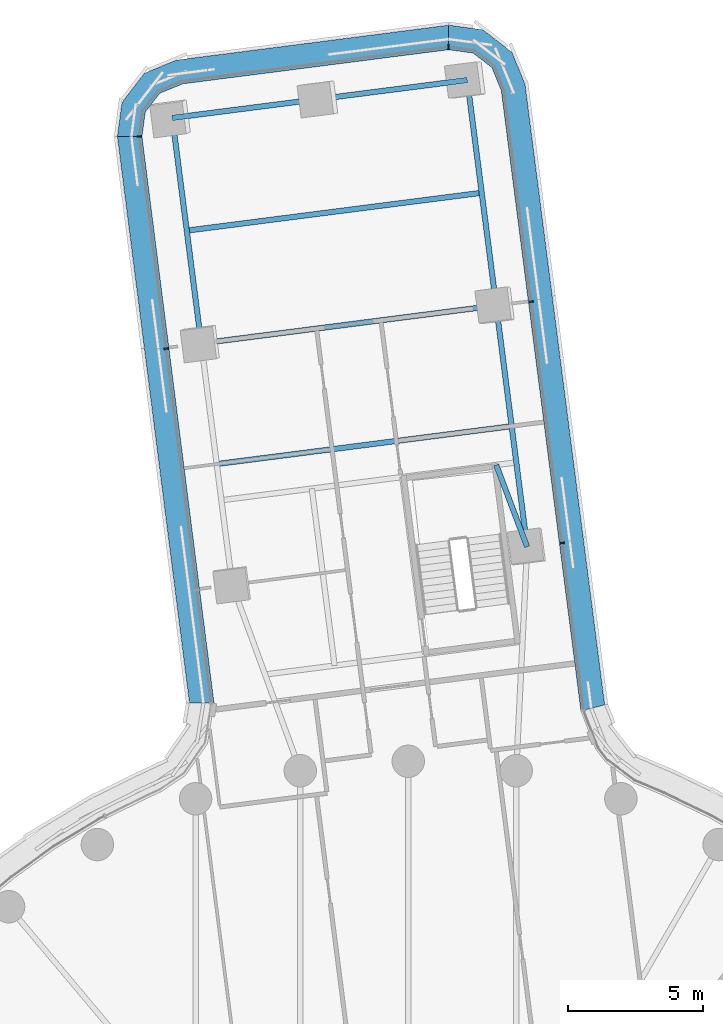
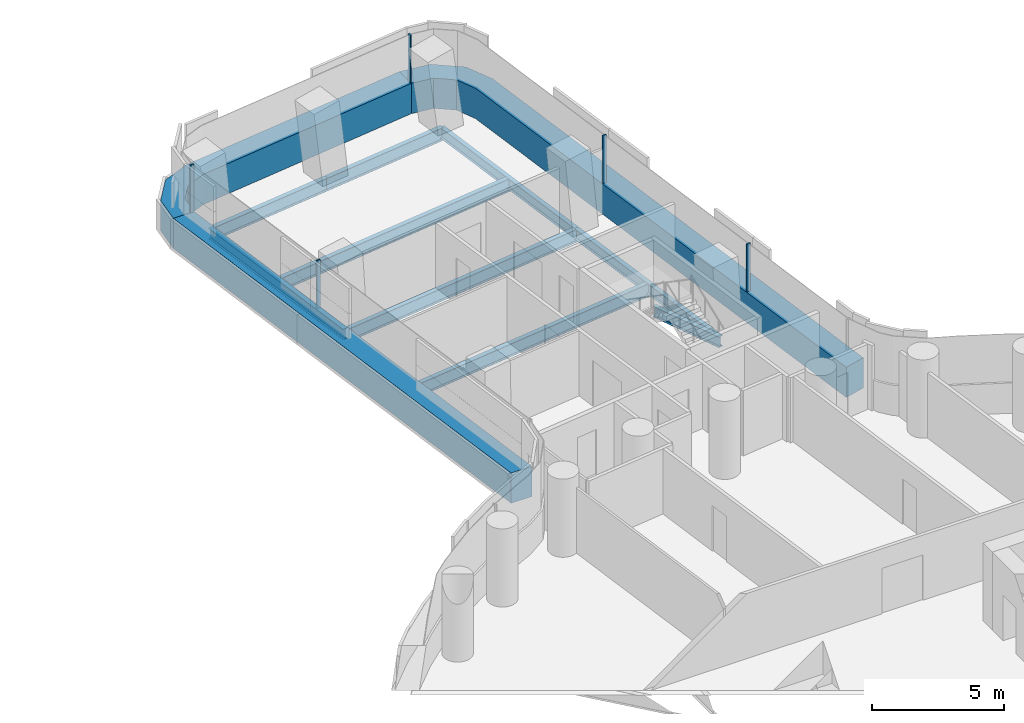
# One storey, part 15 of 31: 9 beams, 8 members, 3 elements without a shape of their own.
"""IFC4 building model written with IfcOpenShell, lengths in metres."""

from ifc_helpers import new_model, si_unit, direction, frame, origin, origin_2d, place, context, subcontext, project, spatial, polyline, rectangle, i_section, outline, extrude, material, layer, layer_set, material_profile, profile_set, type_object, element, aggregate, save


model = new_model("IFC4")

# Units and contexts
model_context = context("Model", 3, precision=1e-05, world=origin(), true_north=direction((0.0, 1.0)))
body_context = subcontext(model_context, "Body", "Model", "MODEL_VIEW")
ifc_project = project(units=[si_unit("LENGTHUNIT", "METRE"), si_unit("AREAUNIT", "SQUARE_METRE"), si_unit("VOLUMEUNIT", "CUBIC_METRE"), si_unit("PLANEANGLEUNIT", "RADIAN"), si_unit("MASSUNIT", "GRAM", prefix="KILO")], contexts=[model_context])

# Site, building, storey
site_placement = place(None, origin())
site = spatial("IfcSite", under=ifc_project, at=site_placement, CompositionType="ELEMENT")
building_placement = place(site_placement, origin())
building = spatial("IfcBuilding", under=site, at=building_placement, Name="Tamarind Cross Interchange Tower", CompositionType="ELEMENT")
storey_placement = place(building_placement, frame((0.0, 0.0, 60.25)))
storey = spatial("IfcBuildingStorey", under=building, at=storey_placement, Name="L13", CompositionType="ELEMENT", Elevation=60.25)

# Beams
ifc_material_1 = material(Name="Steel Q355B", Category="steel")
ifc_material_profile_1 = material_profile(ifc_material_1, i_section(OverallWidth=0.198974609375, OverallDepth=0.49609375, WebThickness=0.009033203125, FlangeThickness=0.013916015625, FilletRadius=0.012939453125, at=origin_2d()), Name="HN 496x199x9x14")
ifc_profile_set_1 = profile_set([ifc_material_profile_1], Name="Steel Q355B")
beam_type_1 = type_object("IfcBeamType", Name="Composite beam HN 496x199x9x14 Q355B", PredefinedType="BEAM", material=ifc_profile_set_1)
beam_1_placement = place(storey_placement, frame((2.182373046875, 48.199951171875, -0.387939453125), z_axis=(0.127310795413, -0.991862874278, 0.0), x_axis=(0.991862874278, 0.127310795413, 0.0)))
element("IfcBeam", 1, at=beam_1_placement, inside=storey, type_object=beam_type_1, Name="Beam N-edgeem5", PredefinedType="BEAM", context=body_context, shape_type="SweptSolid", body=[
    extrude(i_section(OverallWidth=0.198974609375, OverallDepth=0.49609375, WebThickness=0.009033203125, FlangeThickness=0.013916015625, FilletRadius=0.012939453125, at=origin_2d()), origin(), (0.0, 0.0, 1.0), 8.408935546875),
])
beam_2_placement = place(storey_placement, frame((3.2529296875, 39.859375, -0.387939453125), z_axis=(0.127305967001, -0.991863494018, 0.0), x_axis=(0.991863494018, 0.127305967001, 0.0)))
element("IfcBeam", 2, at=beam_2_placement, inside=storey, type_object=beam_type_1, Name="Beam N-edgeem6", PredefinedType="BEAM", context=body_context, shape_type="SweptSolid", body=[
    extrude(i_section(OverallWidth=0.198974609375, OverallDepth=0.49609375, WebThickness=0.009033203125, FlangeThickness=0.013916015625, FilletRadius=0.012939453125, at=origin_2d()), origin(), (0.0, 0.0, 1.0), 9.0),
])
beam_3_placement = place(storey_placement, frame((-8.72802734375, 46.7998046875, -0.387939453125), z_axis=(0.127307129349, -0.99186334483, 0.0), x_axis=(0.99186334483, 0.127307129349, 0.0)))
element("IfcBeam", 3, at=beam_3_placement, inside=storey, type_object=beam_type_1, Name="Beam N-edgeep2", PredefinedType="BEAM", context=body_context, shape_type="SweptSolid", body=[
    extrude(i_section(OverallWidth=0.198974609375, OverallDepth=0.49609375, WebThickness=0.009033203125, FlangeThickness=0.013916015625, FilletRadius=0.012939453125, at=origin_2d()), origin(), (0.0, 0.0, 1.0), 8.4091796875),
])
beam_4_placement = place(storey_placement, frame((4.398681640625, 30.9326171875, -0.387939453125), z_axis=(-0.35361756527, 0.93539008843, 0.0), x_axis=(-0.93539008843, -0.35361756527, 0.0)))
element("IfcBeam", 4, at=beam_4_placement, inside=storey, type_object=beam_type_1, Name="Beam N-tr0", PredefinedType="BEAM", context=body_context, shape_type="SweptSolid", body=[
    extrude(i_section(OverallWidth=0.198974609375, OverallDepth=0.49609375, WebThickness=0.009033203125, FlangeThickness=0.013916015625, FilletRadius=0.012939453125, at=origin_2d()), origin(), (0.0, 0.0, 1.0), 3.238037109375),
])
ifc_material_profile_2 = material_profile(ifc_material_1, i_section(OverallWidth=0.199951171875, OverallDepth=0.60009765625, WebThickness=0.010986328125, FlangeThickness=0.01708984375, FilletRadius=0.012939453125, at=origin_2d()), Name="HN 600x200x11x17")
ifc_profile_set_2 = profile_set([ifc_material_profile_2], Name="Steel Q355B")
beam_type_2 = type_object("IfcBeamType", Name="Composite beam HN 600x200x11x17 Q355B", PredefinedType="BEAM", material=ifc_profile_set_2)
beam_5_placement = place(storey_placement, frame((2.182373046875, 48.199951171875, -0.43994140625), z_axis=(-0.991868307519, -0.127268458542, 0.0), x_axis=(0.127268458542, -0.991868307519, 0.0)))
element("IfcBeam", 5, at=beam_5_placement, inside=storey, type_object=beam_type_2, Name="Beam N-tip0", PredefinedType="BEAM", context=body_context, shape_type="SweptSolid", body=[
    extrude(i_section(OverallWidth=0.199951171875, OverallDepth=0.60009765625, WebThickness=0.010986328125, FlangeThickness=0.01708984375, FilletRadius=0.012939453125, at=origin_2d()), origin(), (0.0, 0.0, 1.0), 5.499755859375),
])
beam_6_placement = place(storey_placement, frame((-3.272705078125, 47.5, -0.43994140625), z_axis=(-0.991863422431, -0.12730652475, 0.0), x_axis=(0.12730652475, -0.991863422431, 0.0)))
element("IfcBeam", 6, at=beam_6_placement, inside=storey, type_object=beam_type_2, Name="Beam N-tip1", PredefinedType="BEAM", context=body_context, shape_type="SweptSolid", body=[
    extrude(i_section(OverallWidth=0.199951171875, OverallDepth=0.60009765625, WebThickness=0.010986328125, FlangeThickness=0.01708984375, FilletRadius=0.012939453125, at=origin_2d()), origin(), (0.0, 0.0, 1.0), 5.5),
])
beam_7_placement = place(storey_placement, frame((3.2529296875, 39.859375, -0.43994140625), z_axis=(-0.991863062717, -0.127309327301, 0.0), x_axis=(0.127309327301, -0.991863062717, 0.0)))
element("IfcBeam", 7, at=beam_7_placement, inside=storey, type_object=beam_type_2, Name="Beam N-x393", PredefinedType="BEAM", context=body_context, shape_type="SweptSolid", body=[
    extrude(i_section(OverallWidth=0.199951171875, OverallDepth=0.60009765625, WebThickness=0.010986328125, FlangeThickness=0.01708984375, FilletRadius=0.012939453125, at=origin_2d()), origin(), (0.0, 0.0, 1.0), 11.0),
])
for number, where, z_axis, x_axis, name in (
    (8, (3.825927734375, 35.39599609375, -0.43994140625), (-0.991863422431, -0.12730652475, 0.0), (0.12730652475, -0.991863422431, 0.0), "Beam N-x348"),
    (9, (2.7177734375, 44.02978515625, -0.43994140625), (-0.991863422431, -0.12730652475, 0.0), (0.12730652475, -0.991863422431, 0.0), "Beam N-x435"),
):
    element("IfcBeam", number, at=place(storey_placement, frame(where, z_axis=z_axis, x_axis=x_axis)), inside=storey, type_object=beam_type_2, Name=name, PredefinedType="BEAM", context=body_context, shape_type="SweptSolid", body=[
        extrude(i_section(OverallWidth=0.199951171875, OverallDepth=0.60009765625, WebThickness=0.010986328125, FlangeThickness=0.01708984375, FilletRadius=0.012939453125, at=origin_2d()), origin(), (0.0, 0.0, 1.0), 11.000244140625),
    ])

# Curtain wall, member
ifc_material_2 = material(Name="Aluminium 6063-T6", Category="aluminium")
ifc_layer = layer(ifc_material_2, 0.159912109375)
ifc_layer_set = layer_set([ifc_layer], Name="Aluminium 6063-T6")
curtain_wall_type = type_object("IfcCurtainWallType", Name="Office curtain wall, 9.0 m bays", PredefinedType="NOTDEFINED", material=ifc_layer_set)
curtain_wall_1_placement = place(storey_placement, origin())
curtain_wall_1 = element("IfcCurtainWall", 10, at=curtain_wall_1_placement, inside=storey, type_object=curtain_wall_type, Name="CWS-L13-11", PredefinedType="NOTDEFINED")
ifc_material_3 = material(Name="Aluminium and insulated spandrel panel", Category="aluminium")
member_type_1 = type_object("IfcMemberType", Name="Floor-edge blade transom", PredefinedType="USERDEFINED", material=ifc_material_3)
member_1_placement = place(storey_placement, origin())
member_1 = element("IfcMember", 11, at=member_1_placement, type_object=member_type_1, Name="CWT-L13-11", ObjectType="TRANSOM", PredefinedType="USERDEFINED", context=body_context, shape_type="SweptSolid", body=[
    extrude(outline(polyline([(6.387451171875, 24.86279296875), (3.44140625, 47.817626953125), (3.09375, 48.66455078125), (2.40185546875, 49.19921875), (1.49462890625, 49.321533203125), (1.49755859375, 50.229248046875), (2.76123046875, 50.058837890625), (3.8349609375, 49.229248046875), (4.319091796875, 48.0498046875), (7.26611328125, 25.08642578125), (6.387451171875, 24.86279296875)])), origin(), (0.0, 0.0, 1.0), 1.39990234375),
])

curtain_wall_2_placement = place(storey_placement, origin())
curtain_wall_2 = element("IfcCurtainWall", 12, at=curtain_wall_2_placement, inside=storey, type_object=curtain_wall_type, Name="CWS-L13-12", PredefinedType="NOTDEFINED")
member_2_placement = place(storey_placement, origin())
member_2 = element("IfcMember", 13, at=member_2_placement, type_object=member_type_1, Name="CWT-L13-12", ObjectType="TRANSOM", PredefinedType="USERDEFINED", context=body_context, shape_type="SweptSolid", body=[
    extrude(outline(polyline([(1.49462890625, 49.321533203125), (-8.345703125, 48.05859375), (-9.192626953125, 47.711181640625), (-9.72705078125, 47.01904296875), (-9.849609375, 46.11181640625), (-10.75732421875, 46.115234375), (-10.5869140625, 47.37841796875), (-9.75732421875, 48.4521484375), (-8.577880859375, 48.936279296875), (1.49755859375, 50.229248046875), (1.49462890625, 49.321533203125)])), origin(), (0.0, 0.0, 1.0), 1.39990234375),
])

curtain_wall_3_placement = place(storey_placement, origin())
curtain_wall_3 = element("IfcCurtainWall", 14, at=curtain_wall_3_placement, inside=storey, type_object=curtain_wall_type, Name="CWS-L13-13", PredefinedType="NOTDEFINED")
member_3_placement = place(storey_placement, origin())
member_3 = element("IfcMember", 15, at=member_3_placement, type_object=member_type_1, Name="CWT-L13-13", ObjectType="TRANSOM", PredefinedType="USERDEFINED", context=body_context, shape_type="SweptSolid", body=[
    extrude(outline(polyline([(-9.849609375, 46.11181640625), (-7.18359375, 25.14892578125), (-8.0927734375, 25.16455078125), (-10.75732421875, 46.115234375), (-9.849609375, 46.11181640625)])), origin(), (0.0, 0.0, 1.0), 1.39990234375),
])

# Member
ifc_material_profile_3 = material_profile(ifc_material_2, rectangle(XDim=0.06005859375, YDim=0.159912109375, at=origin_2d()), Name="Mullion CW1")
ifc_profile_set_3 = profile_set([ifc_material_profile_3], Name="Aluminium 6063-T6")
member_type_2 = type_object("IfcMemberType", Name="Mullion CW1", PredefinedType="MULLION", material=ifc_profile_set_3)
member_4_placement = place(storey_placement, frame((5.691162109375, 31.0732421875, 1.39990234375), z_axis=(0.0, 0.0, 1.0), x_axis=(-0.127300045824, 0.991864253985, 0.0)))
member_4 = element("IfcMember", 16, at=member_4_placement, type_object=member_type_2, Name="CWM-L13-11-01", PredefinedType="MULLION", context=body_context, shape_type="SweptSolid", body=[
    extrude(rectangle(XDim=0.06005859375, YDim=0.159912109375, at=origin_2d()), origin(), (0.0, 0.0, 1.0), 2.210205078125),
])

member_5_placement = place(storey_placement, frame((4.545654296875, 39.99951171875, 1.39990234375), z_axis=(0.0, 0.0, 1.0), x_axis=(-0.127300045824, 0.991864253985, 0.0)))
member_5 = element("IfcMember", 17, at=member_5_placement, type_object=member_type_2, Name="CWM-L13-11-02", PredefinedType="MULLION", context=body_context, shape_type="SweptSolid", body=[
    extrude(rectangle(XDim=0.06005859375, YDim=0.159912109375, at=origin_2d()), origin(), (0.0, 0.0, 1.0), 2.210205078125),
])

aggregate(curtain_wall_1, [member_4, member_5, member_1])

member_6_placement = place(storey_placement, frame((1.494873046875, 49.42236328125, 1.39990234375), z_axis=(0.0, 0.0, 1.0), x_axis=(-0.999994708045, 0.003253287987, 0.0)))
member_6 = element("IfcMember", 18, at=member_6_placement, type_object=member_type_2, Name="CWM-L13-12-00", PredefinedType="MULLION", context=body_context, shape_type="SweptSolid", body=[
    extrude(rectangle(XDim=0.06005859375, YDim=0.159912109375, at=origin_2d()), origin(), (0.0, 0.0, 1.0), 2.210205078125),
])

aggregate(curtain_wall_2, [member_6, member_2])

member_7_placement = place(storey_placement, frame((-9.950439453125, 46.112060546875, 1.39990234375), z_axis=(0.0, 0.0, 1.0), x_axis=(-0.003827457335, -0.999992675258, 0.0)))
member_7 = element("IfcMember", 19, at=member_7_placement, type_object=member_type_2, Name="CWM-L13-13-00", PredefinedType="MULLION", context=body_context, shape_type="SweptSolid", body=[
    extrude(rectangle(XDim=0.06005859375, YDim=0.159912109375, at=origin_2d()), origin(), (0.0, 0.0, 1.0), 2.210205078125),
])

member_8_placement = place(storey_placement, frame((-8.95263671875, 38.265380859375, 1.39990234375), z_axis=(0.0, 0.0, 1.0), x_axis=(0.126160958881, -0.992009784455, 0.0)))
member_8 = element("IfcMember", 20, at=member_8_placement, type_object=member_type_2, Name="CWM-L13-13-01", PredefinedType="MULLION", context=body_context, shape_type="SweptSolid", body=[
    extrude(rectangle(XDim=0.06005859375, YDim=0.159912109375, at=origin_2d()), origin(), (0.0, 0.0, 1.0), 2.210205078125),
])

aggregate(curtain_wall_3, [member_7, member_8, member_3])

save(model, "model.ifc")
